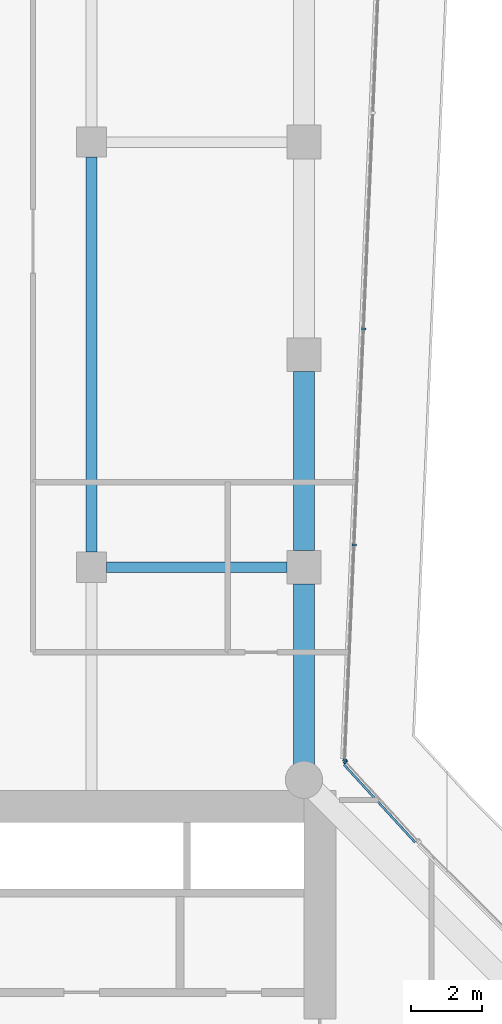
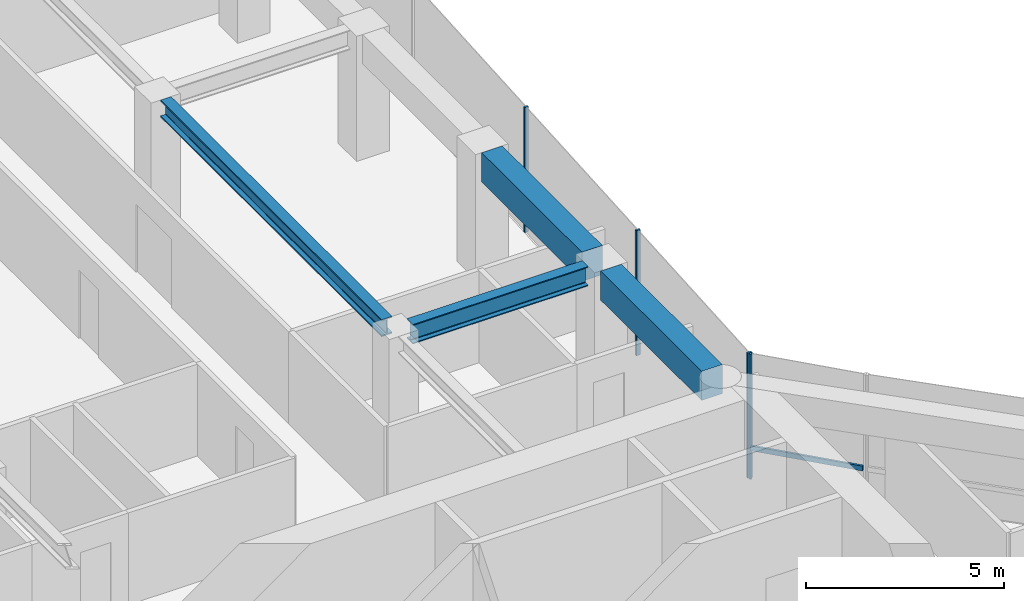
# One storey, part 13 of 29: 5 members, 4 beams, 2 elements without a shape of their own.
"""IFC4 building model written with IfcOpenShell, lengths in metres."""

from ifc_helpers import new_model, si_unit, direction, frame, origin, origin_2d, place, context, subcontext, project, spatial, rectangle, i_section, extrude, material, layer, layer_set, material_profile, profile_set, type_object, element, aggregate, save


model = new_model("IFC4")

# Units and contexts
model_context = context("Model", 3, precision=1e-05, world=origin(), true_north=direction((0.0, 1.0)))
body_context = subcontext(model_context, "Body", "Model", "MODEL_VIEW")
ifc_project = project(units=[si_unit("LENGTHUNIT", "METRE"), si_unit("AREAUNIT", "SQUARE_METRE"), si_unit("VOLUMEUNIT", "CUBIC_METRE"), si_unit("PLANEANGLEUNIT", "RADIAN"), si_unit("MASSUNIT", "GRAM", prefix="KILO")], contexts=[model_context])

# Site, building, storey
site_placement = place(None, origin())
site = spatial("IfcSite", under=ifc_project, at=site_placement, CompositionType="ELEMENT")
building_placement = place(site_placement, origin())
building = spatial("IfcBuilding", under=site, at=building_placement, Name="Welwitschia Terrace Campus", CompositionType="ELEMENT")
storey_placement = place(building_placement, frame((0.0, 0.0, 41.60009765625)))
storey = spatial("IfcBuildingStorey", under=building, at=storey_placement, Name="L09", CompositionType="ELEMENT", Elevation=41.60009765625)

# Beam
ifc_material_1 = material(Name="Steel S355", Category="steel")
ifc_material_profile_1 = material_profile(ifc_material_1, i_section(OverallWidth=0.305908203125, OverallDepth=0.52392578125, WebThickness=0.02099609375, FlangeThickness=0.0400390625, FilletRadius=0.027099609375, at=origin_2d()))
ifc_profile_set_1 = profile_set([ifc_material_profile_1], Name="Steel S355")
beam_type_1 = type_object("IfcBeamType", Name="Interior girder HE 500 M", PredefinedType="BEAM", material=ifc_profile_set_1)
beam_1_placement = place(storey_placement, frame((18.0, 32.425537109375, 3.587890625), z_axis=(0.0, 1.0, 0.0), x_axis=(-1.0, 0.0, 0.0)))
element("IfcBeam", 1, at=beam_1_placement, inside=storey, type_object=beam_type_1, Name="Girder GB2", PredefinedType="BEAM", context=body_context, shape_type="SweptSolid", body=[
    extrude(i_section(OverallWidth=0.305908203125, OverallDepth=0.52392578125, WebThickness=0.02099609375, FlangeThickness=0.0400390625, FilletRadius=0.027099609375, at=origin_2d()), origin(), (0.0, 0.0, 1.0), 11.14892578125),
])

# Curtain wall, member
ifc_material_2 = material(Name="Bronze anodised aluminium", Category="aluminium")
ifc_layer = layer(ifc_material_2, 0.1201171875)
ifc_layer_set = layer_set([ifc_layer], Name="Bronze anodised aluminium")
curtain_wall_type = type_object("IfcCurtainWallType", Name="Curtain wall CW2 tower 6000", PredefinedType="NOTDEFINED", material=ifc_layer_set)
curtain_wall_1_placement = place(storey_placement, origin())
curtain_wall_1 = element("IfcCurtainWall", 2, at=curtain_wall_1_placement, inside=storey, type_object=curtain_wall_type, Name="CW L09.10.0", PredefinedType="NOTDEFINED")
ifc_material_3 = material(Name="Bronze anodised aluminium", Category="aluminium")
ifc_material_profile_2 = material_profile(ifc_material_3, rectangle(XDim=0.1201171875, YDim=0.06005859375, at=origin_2d()))
ifc_profile_set_2 = profile_set([ifc_material_profile_2], Name="Bronze anodised aluminium")
member_type_1 = type_object("IfcMemberType", Name="Mullion 60x120", PredefinedType="MULLION", material=ifc_profile_set_2)
member_1_placement = place(storey_placement, frame((25.17431640625, 26.510498046875, 0.0), z_axis=(0.0, 0.0, 1.0), x_axis=(-0.73727733681, -0.675590207616, 0.0)))
member_1 = element("IfcMember", 3, at=member_1_placement, type_object=member_type_1, Name="Mullion L09.10.0.1", PredefinedType="MULLION", context=body_context, shape_type="SweptSolid", body=[
    extrude(rectangle(XDim=0.1201171875, YDim=0.06005859375, at=origin_2d()), origin(), (0.0, 0.0, 1.0), 3.849853515625),
])

# Curtain wall, members
curtain_wall_2_placement = place(storey_placement, origin())
curtain_wall_2 = element("IfcCurtainWall", 4, at=curtain_wall_2_placement, inside=storey, type_object=curtain_wall_type, Name="CW L09.11.0", PredefinedType="NOTDEFINED")
member_2_placement = place(storey_placement, frame((25.1552734375, 26.5625, 0.0), z_axis=(0.0, 0.0, 1.0), x_axis=(-0.999048221582, 0.043619387365, 0.0)))
member_2 = element("IfcMember", 5, at=member_2_placement, type_object=member_type_1, Name="Mullion L09.11.0.0", PredefinedType="MULLION", context=body_context, shape_type="SweptSolid", body=[
    extrude(rectangle(XDim=0.1201171875, YDim=0.06005859375, at=origin_2d()), origin(), (0.0, 0.0, 1.0), 3.849853515625),
])
member_3_placement = place(storey_placement, frame((25.420166015625, 32.630126953125, 0.0), z_axis=(0.0, 0.0, 1.0), x_axis=(-0.999048221582, 0.043619387365, 0.0)))
member_3 = element("IfcMember", 6, at=member_3_placement, type_object=member_type_1, Name="Mullion L09.11.0.1", PredefinedType="MULLION", context=body_context, shape_type="SweptSolid", body=[
    extrude(rectangle(XDim=0.1201171875, YDim=0.06005859375, at=origin_2d()), origin(), (0.0, 0.0, 1.0), 3.849853515625),
])
member_4_placement = place(storey_placement, frame((25.6865234375, 38.7275390625, 0.0), z_axis=(0.0, 0.0, 1.0), x_axis=(-0.999048221582, 0.043619387365, 0.0)))
member_4 = element("IfcMember", 7, at=member_4_placement, type_object=member_type_1, Name="Mullion L09.11.0.2", PredefinedType="MULLION", context=body_context, shape_type="SweptSolid", body=[
    extrude(rectangle(XDim=0.1201171875, YDim=0.06005859375, at=origin_2d()), origin(), (0.0, 0.0, 1.0), 3.849853515625),
])
aggregate(curtain_wall_2, [member_2, member_3, member_4])

# Beams
ifc_material_4 = material(Name="Steel S355", Category="steel")
ifc_material_profile_3 = material_profile(ifc_material_4, i_section(OverallWidth=0.300048828125, OverallDepth=0.60009765625, WebThickness=0.015380859375, FlangeThickness=0.030029296875, FilletRadius=0.027099609375, at=origin_2d()))
ifc_profile_set_3 = profile_set([ifc_material_profile_3], Name="Steel S355")
beam_type_2 = type_object("IfcBeamType", Name="Primary beam HE 600 B", PredefinedType="BEAM", material=ifc_profile_set_3)
beam_2_placement = place(storey_placement, frame((23.5244140625, 32.0, 3.5498046875), z_axis=(-1.0, 0.0, 0.0), x_axis=(0.0, -1.0, 0.0)))
element("IfcBeam", 8, at=beam_2_placement, inside=storey, type_object=beam_type_2, Name="Primary beam PB2", PredefinedType="BEAM", context=body_context, shape_type="SweptSolid", body=[
    extrude(i_section(OverallWidth=0.300048828125, OverallDepth=0.60009765625, WebThickness=0.015380859375, FlangeThickness=0.030029296875, FilletRadius=0.027099609375, at=origin_2d()), origin(), (0.0, 0.0, 1.0), 5.098876953125),
])
ifc_material_5 = material(Name="Concrete C60/75", Category="concrete")
ifc_material_profile_4 = material_profile(ifc_material_5, rectangle(XDim=0.60009765625, YDim=0.89990234375, at=origin_2d()))
ifc_profile_set_4 = profile_set([ifc_material_profile_4], Name="Concrete C60/75")
beam_type_3 = type_object("IfcBeamType", Name="Ring spandrel 600x900", PredefinedType="SPANDREL", material=ifc_profile_set_4)
beam_3_placement = place(storey_placement, frame((24.0, 26.431396484375, 3.39990234375), z_axis=(0.0, 1.0, 0.0), x_axis=(-1.0, 0.0, 0.0)))
element("IfcBeam", 9, at=beam_3_placement, inside=storey, type_object=beam_type_3, Name="Spandrel SP2", PredefinedType="SPANDREL", context=body_context, shape_type="SweptSolid", body=[
    extrude(rectangle(XDim=0.60009765625, YDim=0.89990234375, at=origin_2d()), origin(), (0.0, 0.0, 1.0), 5.093017578125),
])
beam_4_placement = place(storey_placement, frame((24.0, 32.4755859375, 3.39990234375), z_axis=(0.0, 1.0, 0.0), x_axis=(-1.0, 0.0, 0.0)))
element("IfcBeam", 10, at=beam_4_placement, inside=storey, type_object=beam_type_3, Name="Spandrel SP2", PredefinedType="SPANDREL", context=body_context, shape_type="SweptSolid", body=[
    extrude(rectangle(XDim=0.60009765625, YDim=0.89990234375, at=origin_2d()), origin(), (0.0, 0.0, 1.0), 5.048828125),
])

# Member
ifc_material_6 = material(Name="Bronze anodised aluminium", Category="aluminium")
ifc_material_profile_5 = material_profile(ifc_material_6, rectangle(XDim=0.06005859375, YDim=0.14990234375, at=origin_2d()))
ifc_profile_set_5 = profile_set([ifc_material_profile_5], Name="Bronze anodised aluminium")
member_type_2 = type_object("IfcMemberType", Name="Transom 60x150", PredefinedType="USERDEFINED", material=ifc_profile_set_5)
member_5_placement = place(storey_placement, frame((27.13232421875, 24.240478515625, 1.0), z_axis=(-0.675612814967, 0.737256620352, 0.0), x_axis=(-0.737256620352, -0.675612814967, 0.0)))
member_5 = element("IfcMember", 11, at=member_5_placement, type_object=member_type_2, Name="Transom L09.10.0", ObjectType="TRANSOM", PredefinedType="USERDEFINED", context=body_context, shape_type="SweptSolid", body=[
    extrude(rectangle(XDim=0.06005859375, YDim=0.14990234375, at=origin_2d()), origin(), (0.0, 0.0, 1.0), 2.96630859375),
])

aggregate(curtain_wall_1, [member_1, member_5])

save(model, "model.ifc")
